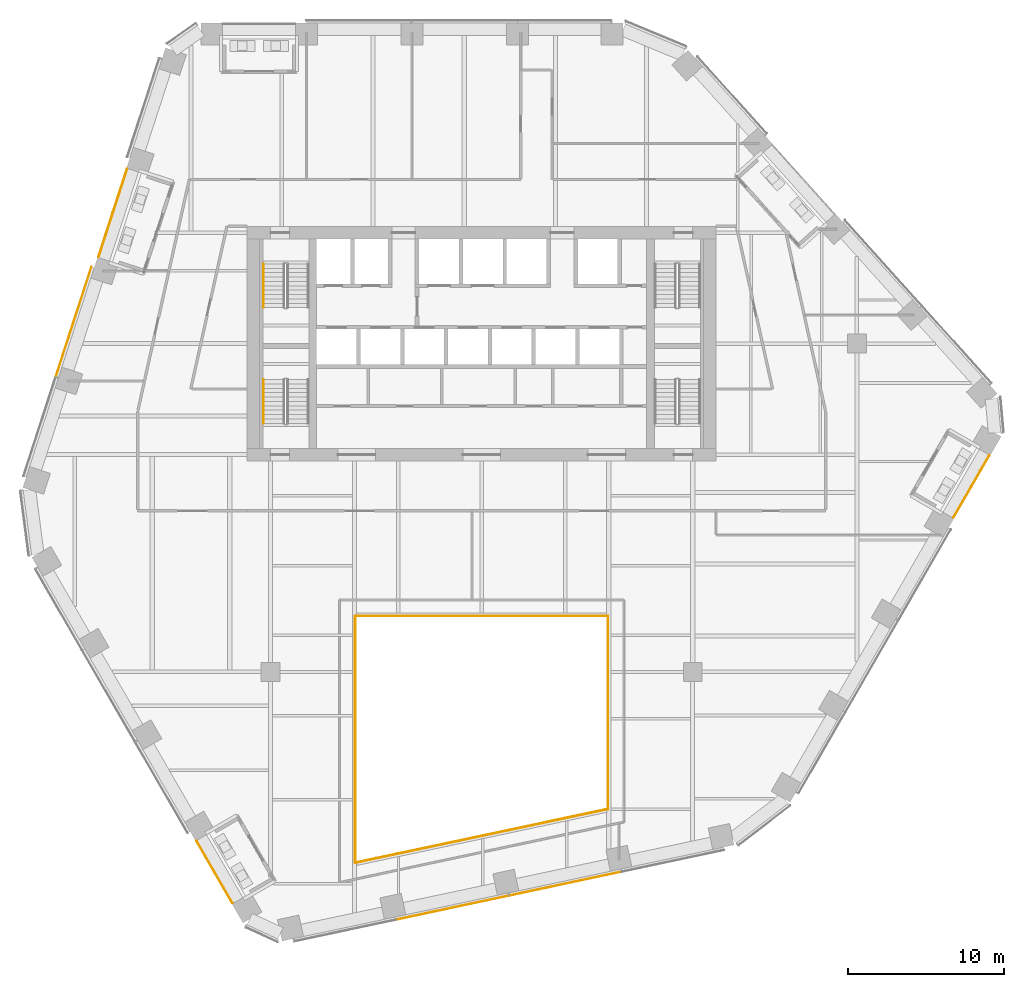
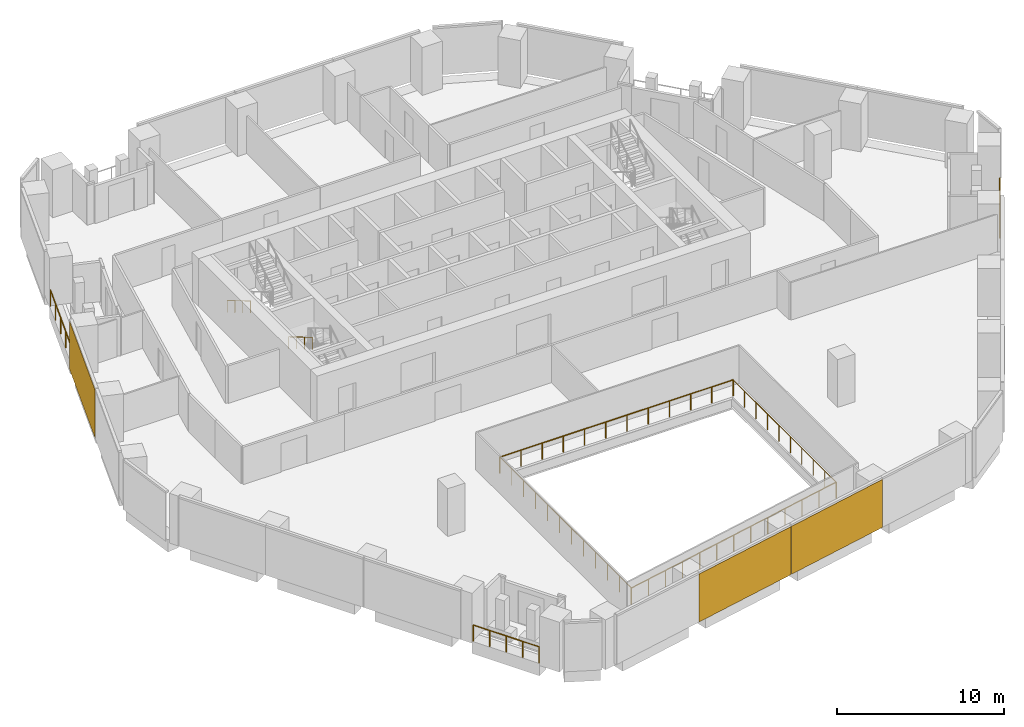
# One storey, part 23 of 26: 9 railings, 3 coverings, 2 elements without a shape of their own.
"""IFC4 building model written with IfcOpenShell, lengths in metres."""

import ifcopenshell
import ifcopenshell.guid

model = None  # the IFC model being written
_history = None  # IfcOwnerHistory: only IFC2X3 demands one
_inside = {}  # id of a spatial element -> (the spatial element, [elements in it])
_under = {}  # id of a project, library or spatial element -> (it, [spatial elements below it])
_declared = {}  # id of a project -> (the project, [libraries it declares])
_typed = {}  # id of a type object -> (the type object, [elements of that type])
_made_of = {}  # id of a material, layer set ... -> (it, [elements and type objects made of it])


def new_model(schema):
    """Start an empty IFC model of exactly this schema.

    Asked for "IFC4X3", IfcOpenShell would pick the latest addendum, in which some entities
    have other attributes; the version numbers below select the first issue.
    IFC2X3 requires an IfcOwnerHistory on every rooted entity: one is made here for all.
    """
    global model, _history
    if schema == "IFC4X3":
        model = ifcopenshell.file(schema_version=(4, 3, 0, 0))
    else:
        model = ifcopenshell.file(schema=schema)
    _inside.clear()
    _under.clear()
    _declared.clear()
    _typed.clear()
    _made_of.clear()
    _history = None
    if model.schema == "IFC2X3":
        org = make("IfcOrganization", Name="unknown")
        user = make(
            "IfcPersonAndOrganization",
            ThePerson=make("IfcPerson", FamilyName="unknown"),
            TheOrganization=org,
        )
        app = make(
            "IfcApplication",
            ApplicationDeveloper=org,
            Version="unknown",
            ApplicationFullName="unknown",
            ApplicationIdentifier="unknown",
        )
        _history = make(
            "IfcOwnerHistory",
            OwningUser=user,
            OwningApplication=app,
            ChangeAction="ADDED",
            CreationDate=0,
        )
    return model


def make(cls, **values):
    """One entity of the class cls with the attributes given. An attribute that is None is left unset."""
    return model.create_entity(
        cls, **{name: value for name, value in values.items() if value is not None}
    )


def rooted(cls, **values):
    """An entity with a GlobalId (a new one), such as an element, a storey or a relation."""
    return make(cls, GlobalId=ifcopenshell.guid.new(), OwnerHistory=_history, **values)


def si_unit(unit_type, name, prefix=None):
    """IfcSIUnit, for example si_unit("LENGTHUNIT", "METRE", prefix="MILLI")."""
    return make("IfcSIUnit", UnitType=unit_type, Prefix=prefix, Name=name)


def assignment(units):
    """IfcUnitAssignment: the units of a project."""
    return None if units is None else make("IfcUnitAssignment", Units=units)


def point(xyz):
    """IfcCartesianPoint."""
    return None if xyz is None else make("IfcCartesianPoint", Coordinates=xyz)


def direction(xyz):
    """IfcDirection."""
    return None if xyz is None else make("IfcDirection", DirectionRatios=xyz)


def frame(location, z_axis=None, x_axis=None):
    """IfcAxis2Placement3D, a coordinate frame: its origin and axes. An axis left out is left unset."""
    return make(
        "IfcAxis2Placement3D",
        Location=point(location),
        Axis=direction(z_axis),
        RefDirection=direction(x_axis),
    )


def frame_2d(location, x_axis=None):
    """IfcAxis2Placement2D, a coordinate frame in the plane: its origin and x axis."""
    return make(
        "IfcAxis2Placement2D", Location=point(location), RefDirection=direction(x_axis)
    )


def origin():
    """The frame at (0, 0, 0) with its axes left unset."""
    return frame((0.0, 0.0, 0.0))


def origin_2d():
    """The frame at (0, 0) in the plane with its x axis left unset."""
    return frame_2d((0.0, 0.0))


def place(relative_to, where):
    """IfcLocalPlacement: puts the frame where relative to a parent placement (None: the world)."""
    return make(
        "IfcLocalPlacement", PlacementRelTo=relative_to, RelativePlacement=where
    )


def context(
    kind, dimensions, precision=None, world=None, true_north=None, identifier=None
):
    """IfcGeometricRepresentationContext, for example the 3D "Model" context."""
    return make(
        "IfcGeometricRepresentationContext",
        ContextIdentifier=identifier,
        ContextType=kind,
        CoordinateSpaceDimension=dimensions,
        Precision=precision,
        WorldCoordinateSystem=world,
        TrueNorth=true_north,
    )


def subcontext(parent, identifier, kind, view, scale=None):
    """IfcGeometricRepresentationSubContext, for example "Body" below "Model"."""
    return make(
        "IfcGeometricRepresentationSubContext",
        ContextIdentifier=identifier,
        ContextType=kind,
        ParentContext=parent,
        TargetScale=scale,
        TargetView=view,
    )


def project(units=None, contexts=None):
    """IfcProject with its units and contexts."""
    return rooted(
        "IfcProject",
        Name="project",
        RepresentationContexts=contexts,
        UnitsInContext=assignment(units),
    )


def spatial(cls, under=None, at=None, **own):
    """A site, building, storey or space (cls), placed at a placement, below another one or the project."""
    s = rooted(cls, ObjectPlacement=at, **own)
    if under is not None:
        _under.setdefault(under.id(), (under, []))[1].append(s)
    return s


def profile(cls, at=None, kind="AREA", **sizes):
    """A parametric profile (cls). Its sizes go by their IFC names, for example OverallWidth=200.0."""
    return make(cls, ProfileType=kind, Position=at, **sizes)


def rectangle(**sizes):
    """IfcRectangleProfileDef."""
    return profile("IfcRectangleProfileDef", **sizes)


def circle(**sizes):
    """IfcCircleProfileDef."""
    return profile("IfcCircleProfileDef", **sizes)


def extrude(swept, where, along, depth):
    """IfcExtrudedAreaSolid: the profile swept, set in the frame where, extruded along a direction by depth."""
    return make(
        "IfcExtrudedAreaSolid",
        SweptArea=swept,
        Position=where,
        ExtrudedDirection=direction(along),
        Depth=depth,
    )


def shape(context_of_items, identifier, shape_type, items):
    """IfcShapeRepresentation: the items that make up one representation, for example the "Body"."""
    return make(
        "IfcShapeRepresentation",
        ContextOfItems=context_of_items,
        RepresentationIdentifier=identifier,
        RepresentationType=shape_type,
        Items=items,
    )


def material(Name=None, Category=None):
    """IfcMaterial."""
    return make("IfcMaterial", Name=Name, Category=Category)


def layer(
    of_material, thickness, ventilated=None, Name=None, Category=None, Priority=None
):
    """IfcMaterialLayer: one layer of a wall or slab, of a material (None: an air gap)."""
    return make(
        "IfcMaterialLayer",
        Material=of_material,
        LayerThickness=thickness,
        IsVentilated=ventilated,
        Name=Name,
        Category=Category,
        Priority=Priority,
    )


def layer_set(layers, Name=None):
    """IfcMaterialLayerSet."""
    return make("IfcMaterialLayerSet", MaterialLayers=layers, LayerSetName=Name)


def made_of(thing, what):
    """Note that an element or type object is made of a material, layer set ...; save() writes the relation."""
    if what is not None:
        _made_of.setdefault(what.id(), (what, []))[1].append(thing)
    return thing


def type_object(cls, material=None, **own):
    """A type object (cls), such as IfcWallType, which elements share."""
    return made_of(rooted(cls, **own), material)


def element(
    cls,
    number,
    at=None,
    inside=None,
    cuts=None,
    type_object=None,
    material=None,
    context=None,
    identifier="Body",
    shape_type=None,
    held_by="IfcProductDefinitionShape",
    body=None,
    shapes=None,
    **own,
):
    """One element of the class cls, such as IfcWall. Its Tag is "e" and its number.

    at: its placement. inside: the storey or other place that contains it. cuts: it is an
    opening in that element (IfcRelVoidsElement). A single representation is given by context,
    identifier, shape_type and body (its items); several are given by shapes. held_by: the class
    of the entity that holds the representations. save() writes the other relations.
    """
    e = rooted(cls, Tag="e%d" % number, ObjectPlacement=at, **own)
    if body is not None:
        shapes = [shape(context, identifier, shape_type, body)]
    if shapes is not None:
        e.Representation = make(held_by, Representations=shapes)
    if inside is not None:
        _inside.setdefault(inside.id(), (inside, []))[1].append(e)
    if cuts is not None:
        rooted(
            "IfcRelVoidsElement", RelatingBuildingElement=cuts, RelatedOpeningElement=e
        )
    if type_object is not None:
        _typed.setdefault(type_object.id(), (type_object, []))[1].append(e)
    return made_of(e, material)


def aggregate(whole, parts):
    """IfcRelAggregates: a whole, such as a stair, and the parts it consists of."""
    return rooted("IfcRelAggregates", RelatingObject=whole, RelatedObjects=parts)


def save(model, path):
    """Write the relations noted so far, then the file.

    IfcRelAggregates (storeys below a building ...), IfcRelContainedInSpatialStructure (elements
    in a storey), IfcRelDefinesByType, IfcRelAssociatesMaterial and IfcRelDeclares: one each for
    every whole, place, type object, material and project.
    """
    for whole, parts in _under.values():
        aggregate(whole, parts)
    for where, things in _inside.values():
        rooted(
            "IfcRelContainedInSpatialStructure",
            RelatedElements=things,
            RelatingStructure=where,
        )
    for kind, things in _typed.values():
        rooted("IfcRelDefinesByType", RelatedObjects=things, RelatingType=kind)
    for what, things in _made_of.values():
        rooted("IfcRelAssociatesMaterial", RelatedObjects=things, RelatingMaterial=what)
    for by, libraries in _declared.values():
        rooted("IfcRelDeclares", RelatingContext=by, RelatedDefinitions=libraries)
    model.write(path)


model = new_model("IFC4")

# Units and contexts
model_context = context("Model", 3, precision=1e-05, world=origin(), true_north=direction((0.0, 1.0)))
body_context = subcontext(model_context, "Body", "Model", "MODEL_VIEW")
ifc_project = project(units=[si_unit("LENGTHUNIT", "METRE"), si_unit("AREAUNIT", "SQUARE_METRE"), si_unit("VOLUMEUNIT", "CUBIC_METRE"), si_unit("PLANEANGLEUNIT", "RADIAN"), si_unit("MASSUNIT", "GRAM", prefix="KILO")], contexts=[model_context])

# Site, building, storey
site_placement = place(None, origin())
site = spatial("IfcSite", under=ifc_project, at=site_placement, CompositionType="ELEMENT")
building_placement = place(site_placement, origin())
building = spatial("IfcBuilding", under=site, at=building_placement, Name="Isthmus Gate Tower", CompositionType="ELEMENT")
storey_placement = place(building_placement, frame((0.0, 0.0, 144.39990234375)))
storey = spatial("IfcBuildingStorey", under=building, at=storey_placement, Name="L35", CompositionType="ELEMENT", Elevation=144.39990234375)

# Railings
ifc_material_1 = material(Name="Laminated toughened glass balustrade with steel rail", Category="steel")
railing_type_1 = type_object("IfcRailingType", Name="ATRIUM GUARD GLASS BALUSTRADE 1200", PredefinedType="GUARDRAIL", material=ifc_material_1)
railing_1_placement = place(storey_placement, frame((-8.080078125, -25.7099609375, 0.0)))
element("IfcRailing", 1, at=railing_1_placement, inside=storey, type_object=railing_type_1, Name="L35 atrium guard", PredefinedType="GUARDRAIL", context=body_context, shape_type="SweptSolid", body=[
    extrude(circle(Radius=0.02490234375, at=origin_2d()), frame((0.0, 0.0, 1.1748046875), z_axis=(0.0, 1.0, 0.0), x_axis=(-1.0, 0.0, 0.0)), (0.0, 0.0, 1.0), 15.7900390625),
    extrude(circle(Radius=0.02490234375, at=origin_2d()), origin(), (0.0, 0.0, 1.0), 1.14990234375),
    extrude(circle(Radius=0.02490234375, at=origin_2d()), frame((0.0, 1.435546875, 0.0)), (0.0, 0.0, 1.0), 1.14990234375),
    extrude(circle(Radius=0.02490234375, at=origin_2d()), frame((0.0, 2.870849609375, 0.0)), (0.0, 0.0, 1.0), 1.14990234375),
    extrude(circle(Radius=0.02490234375, at=origin_2d()), frame((0.0, 4.306396484375, 0.0)), (0.0, 0.0, 1.0), 1.14990234375),
    extrude(circle(Radius=0.02490234375, at=origin_2d()), frame((0.0, 5.741943359375, 0.0)), (0.0, 0.0, 1.0), 1.14990234375),
    extrude(circle(Radius=0.02490234375, at=origin_2d()), frame((0.0, 7.17724609375, 0.0)), (0.0, 0.0, 1.0), 1.14990234375),
    extrude(circle(Radius=0.02490234375, at=origin_2d()), frame((0.0, 8.61279296875, 0.0)), (0.0, 0.0, 1.0), 1.14990234375),
    extrude(circle(Radius=0.02490234375, at=origin_2d()), frame((0.0, 10.048095703125, 0.0)), (0.0, 0.0, 1.0), 1.14990234375),
    extrude(circle(Radius=0.02490234375, at=origin_2d()), frame((0.0, 11.483642578125, 0.0)), (0.0, 0.0, 1.0), 1.14990234375),
    extrude(circle(Radius=0.02490234375, at=origin_2d()), frame((0.0, 12.919189453125, 0.0)), (0.0, 0.0, 1.0), 1.14990234375),
    extrude(circle(Radius=0.02490234375, at=origin_2d()), frame((0.0, 14.3544921875, 0.0)), (0.0, 0.0, 1.0), 1.14990234375),
    extrude(circle(Radius=0.02490234375, at=origin_2d()), frame((0.0, 15.7900390625, 0.0)), (0.0, 0.0, 1.0), 1.14990234375),
])
railing_2_placement = place(storey_placement, frame((-8.080078125, -9.919921875, 0.0)))
element("IfcRailing", 2, at=railing_2_placement, inside=storey, type_object=railing_type_1, Name="L35 atrium guard", PredefinedType="GUARDRAIL", context=body_context, shape_type="SweptSolid", body=[
    extrude(circle(Radius=0.02490234375, at=origin_2d()), frame((0.0, 0.0, 1.1748046875), z_axis=(1.0, 0.0, 0.0), x_axis=(0.0, 1.0, 0.0)), (0.0, 0.0, 1.0), 16.16015625),
    extrude(circle(Radius=0.02490234375, at=origin_2d()), origin(), (0.0, 0.0, 1.0), 1.14990234375),
    extrude(circle(Radius=0.02490234375, at=origin_2d()), frame((1.468994140625, 0.0, 0.0)), (0.0, 0.0, 1.0), 1.14990234375),
    extrude(circle(Radius=0.02490234375, at=origin_2d()), frame((2.938232421875, 0.0, 0.0)), (0.0, 0.0, 1.0), 1.14990234375),
    extrude(circle(Radius=0.02490234375, at=origin_2d()), frame((4.4072265625, 0.0, 0.0)), (0.0, 0.0, 1.0), 1.14990234375),
    extrude(circle(Radius=0.02490234375, at=origin_2d()), frame((5.87646484375, 0.0, 0.0)), (0.0, 0.0, 1.0), 1.14990234375),
    extrude(circle(Radius=0.02490234375, at=origin_2d()), frame((7.345458984375, 0.0, 0.0)), (0.0, 0.0, 1.0), 1.14990234375),
    extrude(circle(Radius=0.02490234375, at=origin_2d()), frame((8.814697265625, 0.0, 0.0)), (0.0, 0.0, 1.0), 1.14990234375),
    extrude(circle(Radius=0.02490234375, at=origin_2d()), frame((10.28369140625, 0.0, 0.0)), (0.0, 0.0, 1.0), 1.14990234375),
    extrude(circle(Radius=0.02490234375, at=origin_2d()), frame((11.7529296875, 0.0, 0.0)), (0.0, 0.0, 1.0), 1.14990234375),
    extrude(circle(Radius=0.02490234375, at=origin_2d()), frame((13.221923828125, 0.0, 0.0)), (0.0, 0.0, 1.0), 1.14990234375),
    extrude(circle(Radius=0.02490234375, at=origin_2d()), frame((14.691162109375, 0.0, 0.0)), (0.0, 0.0, 1.0), 1.14990234375),
    extrude(circle(Radius=0.02490234375, at=origin_2d()), frame((16.16015625, 0.0, 0.0)), (0.0, 0.0, 1.0), 1.14990234375),
])
railing_3_placement = place(storey_placement, frame((8.080078125, -9.919921875, 0.0)))
element("IfcRailing", 3, at=railing_3_placement, inside=storey, type_object=railing_type_1, Name="L35 atrium guard", PredefinedType="GUARDRAIL", context=body_context, shape_type="SweptSolid", body=[
    extrude(circle(Radius=0.02490234375, at=origin_2d()), frame((0.0, 0.0, 1.1748046875), z_axis=(0.0, -1.0, 0.0), x_axis=(1.0, 0.0, 0.0)), (0.0, 0.0, 1.0), 12.35498046875),
    extrude(circle(Radius=0.02490234375, at=origin_2d()), origin(), (0.0, 0.0, 1.0), 1.14990234375),
    extrude(circle(Radius=0.02490234375, at=origin_2d()), frame((0.0, -1.372802734375, 0.0)), (0.0, 0.0, 1.0), 1.14990234375),
    extrude(circle(Radius=0.02490234375, at=origin_2d()), frame((0.0, -2.74560546875, 0.0)), (0.0, 0.0, 1.0), 1.14990234375),
    extrude(circle(Radius=0.02490234375, at=origin_2d()), frame((0.0, -4.118408203125, 0.0)), (0.0, 0.0, 1.0), 1.14990234375),
    extrude(circle(Radius=0.02490234375, at=origin_2d()), frame((0.0, -5.4912109375, 0.0)), (0.0, 0.0, 1.0), 1.14990234375),
    extrude(circle(Radius=0.02490234375, at=origin_2d()), frame((0.0, -6.86376953125, 0.0)), (0.0, 0.0, 1.0), 1.14990234375),
    extrude(circle(Radius=0.02490234375, at=origin_2d()), frame((0.0, -8.236572265625, 0.0)), (0.0, 0.0, 1.0), 1.14990234375),
    extrude(circle(Radius=0.02490234375, at=origin_2d()), frame((0.0, -9.609375, 0.0)), (0.0, 0.0, 1.0), 1.14990234375),
    extrude(circle(Radius=0.02490234375, at=origin_2d()), frame((0.0, -10.982177734375, 0.0)), (0.0, 0.0, 1.0), 1.14990234375),
    extrude(circle(Radius=0.02490234375, at=origin_2d()), frame((0.0, -12.35498046875, 0.0)), (0.0, 0.0, 1.0), 1.14990234375),
])
railing_4_placement = place(storey_placement, frame((8.080078125, -22.27490234375, 0.0)))
element("IfcRailing", 4, at=railing_4_placement, inside=storey, type_object=railing_type_1, Name="L35 atrium guard", PredefinedType="GUARDRAIL", context=body_context, shape_type="SweptSolid", body=[
    extrude(circle(Radius=0.02490234375, at=origin_2d()), frame((0.0, 0.0, 1.1748046875), z_axis=(-0.978146230105, -0.207918139013, 0.0), x_axis=(0.207918139013, -0.978146230105, 0.0)), (0.0, 0.0, 1.0), 16.521240234375),
    extrude(circle(Radius=0.02490234375, at=origin_2d()), origin(), (0.0, 0.0, 1.0), 1.14990234375),
    extrude(circle(Radius=0.02490234375, at=origin_2d()), frame((-1.3466796875, -0.2861328125, 0.0)), (0.0, 0.0, 1.0), 1.14990234375),
    extrude(circle(Radius=0.02490234375, at=origin_2d()), frame((-2.693359375, -0.572509765625, 0.0)), (0.0, 0.0, 1.0), 1.14990234375),
    extrude(circle(Radius=0.02490234375, at=origin_2d()), frame((-4.0400390625, -0.85888671875, 0.0)), (0.0, 0.0, 1.0), 1.14990234375),
    extrude(circle(Radius=0.02490234375, at=origin_2d()), frame((-5.38671875, -1.14501953125, 0.0)), (0.0, 0.0, 1.0), 1.14990234375),
    extrude(circle(Radius=0.02490234375, at=origin_2d()), frame((-6.7333984375, -1.43115234375, 0.0)), (0.0, 0.0, 1.0), 1.14990234375),
    extrude(circle(Radius=0.02490234375, at=origin_2d()), frame((-8.080078125, -1.717529296875, 0.0)), (0.0, 0.0, 1.0), 1.14990234375),
    extrude(circle(Radius=0.02490234375, at=origin_2d()), frame((-9.4267578125, -2.00390625, 0.0)), (0.0, 0.0, 1.0), 1.14990234375),
    extrude(circle(Radius=0.02490234375, at=origin_2d()), frame((-10.7734375, -2.2900390625, 0.0)), (0.0, 0.0, 1.0), 1.14990234375),
    extrude(circle(Radius=0.02490234375, at=origin_2d()), frame((-12.1201171875, -2.576171875, 0.0)), (0.0, 0.0, 1.0), 1.14990234375),
    extrude(circle(Radius=0.02490234375, at=origin_2d()), frame((-13.466796875, -2.862548828125, 0.0)), (0.0, 0.0, 1.0), 1.14990234375),
    extrude(circle(Radius=0.02490234375, at=origin_2d()), frame((-14.8134765625, -3.14892578125, 0.0)), (0.0, 0.0, 1.0), 1.14990234375),
    extrude(circle(Radius=0.02490234375, at=origin_2d()), frame((-16.16015625, -3.43505859375, 0.0)), (0.0, 0.0, 1.0), 1.14990234375),
])

# Curtain wall, covering
ifc_material_2 = material(Name="Aluminium, pale champagne anodised", Category="aluminium")
ifc_layer_1 = layer(ifc_material_2, 0.199951171875)
ifc_layer_set_1 = layer_set([ifc_layer_1], Name="CW-1 UNITISED CURTAIN WALL 200 DEEP")
curtain_wall_type = type_object("IfcCurtainWallType", Name="CW-1 UNITISED CURTAIN WALL 200 DEEP", PredefinedType="NOTDEFINED", material=ifc_layer_set_1)
curtain_wall_1_placement = place(storey_placement, origin())
curtain_wall_1 = element("IfcCurtainWall", 5, at=curtain_wall_1_placement, inside=storey, type_object=curtain_wall_type, Name="CW-1 NW L35", PredefinedType="NOTDEFINED")
ifc_material_3 = material(Name="Aluminium composite panel, pale champagne anodised", Category="aluminium")
ifc_layer_2 = layer(ifc_material_3, 0.035888671875)
ifc_layer_set_2 = layer_set([ifc_layer_2], Name="CW-1 PALE METAL PANEL 36")
covering_type = type_object("IfcCoveringType", Name="CW-1 PALE METAL PANEL 36", PredefinedType="CLADDING", material=ifc_layer_set_2)
covering_1_placement = place(storey_placement, frame((-26.09765625, 8.8984375, 0.0), z_axis=(0.0, 0.0, 1.0), x_axis=(-0.309016994375, -0.951056516295, 0.0)))
covering_1 = element("IfcCovering", 6, at=covering_1_placement, type_object=covering_type, Name="CW-1 pale metal panel", PredefinedType="CLADDING", context=body_context, shape_type="SweptSolid", body=[
    extrude(rectangle(XDim=7.390869140625, YDim=0.035888671875, at=origin_2d()), origin(), (0.0, 0.0, 1.0), 3.510009765625),
])
aggregate(curtain_wall_1, [covering_1])

# Curtain wall, coverings
curtain_wall_2_placement = place(storey_placement, origin())
curtain_wall_2 = element("IfcCurtainWall", 7, at=curtain_wall_2_placement, inside=storey, type_object=curtain_wall_type, Name="CW-1 S L35", PredefinedType="NOTDEFINED")
covering_2_placement = place(storey_placement, frame((-1.88671875, -28.587158203125, 0.0), z_axis=(0.0, 0.0, 1.0), x_axis=(0.978147600734, 0.207911690818, 0.0)))
covering_2 = element("IfcCovering", 8, at=covering_2_placement, type_object=covering_type, Name="CW-1 pale metal panel", PredefinedType="CLADDING", context=body_context, shape_type="SweptSolid", body=[
    extrude(rectangle(XDim=7.390869140625, YDim=0.035888671875, at=origin_2d()), origin(), (0.0, 0.0, 1.0), 3.510009765625),
])
covering_3_placement = place(storey_placement, frame((5.371826171875, -27.044189453125, 0.0), z_axis=(0.0, 0.0, 1.0), x_axis=(0.978147600734, 0.207911690818, 0.0)))
covering_3 = element("IfcCovering", 9, at=covering_3_placement, type_object=covering_type, Name="CW-1 pale metal panel", PredefinedType="CLADDING", context=body_context, shape_type="SweptSolid", body=[
    extrude(rectangle(XDim=7.330810546875, YDim=0.035888671875, at=origin_2d()), origin(), (0.0, 0.0, 1.0), 3.510009765625),
])
aggregate(curtain_wall_2, [covering_2, covering_3])

# Railings
ifc_material_4 = material(Name="Toughened laminated glass with stainless steel posts", Category="steel")
railing_type_2 = type_object("IfcRailingType", Name="GUARD 1200 FRAMELESS GLASS", PredefinedType="GUARDRAIL", material=ifc_material_4)
railing_5_placement = place(storey_placement, frame((-22.679931640625, 18.666748046875, 0.0)))
element("IfcRailing", 10, at=railing_5_placement, inside=storey, type_object=railing_type_2, Name="LOGGIA GUARD", PredefinedType="GUARDRAIL", context=body_context, shape_type="SweptSolid", body=[
    extrude(circle(Radius=0.02490234375, at=origin_2d()), frame((0.0, 0.0, 1.1748046875), z_axis=(-0.308994543872, -0.951063810613, 0.0), x_axis=(0.951063810613, -0.308994543872, 0.0)), (0.0, 0.0, 1.0), 5.910888671875),
    extrude(circle(Radius=0.02490234375, at=origin_2d()), origin(), (0.0, 0.0, 1.0), 1.14990234375),
    extrude(circle(Radius=0.02490234375, at=origin_2d()), frame((-0.45654296875, -1.4052734375, 0.0)), (0.0, 0.0, 1.0), 1.14990234375),
    extrude(circle(Radius=0.02490234375, at=origin_2d()), frame((-0.9130859375, -2.810791015625, 0.0)), (0.0, 0.0, 1.0), 1.14990234375),
    extrude(circle(Radius=0.02490234375, at=origin_2d()), frame((-1.369873046875, -4.21630859375, 0.0)), (0.0, 0.0, 1.0), 1.14990234375),
    extrude(circle(Radius=0.02490234375, at=origin_2d()), frame((-1.826416015625, -5.62158203125, 0.0)), (0.0, 0.0, 1.0), 1.14990234375),
])
railing_6_placement = place(storey_placement, frame((-18.2294921875, -24.32568359375, 0.0)))
element("IfcRailing", 11, at=railing_6_placement, inside=storey, type_object=railing_type_2, Name="LOGGIA GUARD", PredefinedType="GUARDRAIL", context=body_context, shape_type="SweptSolid", body=[
    extrude(circle(Radius=0.02490234375, at=origin_2d()), frame((0.0, 0.0, 1.1748046875), z_axis=(0.500023029176, -0.866012107475, 0.0), x_axis=(0.866012107475, 0.500023029176, 0.0)), (0.0, 0.0, 1.0), 4.570068359375),
    extrude(circle(Radius=0.02490234375, at=origin_2d()), origin(), (0.0, 0.0, 1.0), 1.14990234375),
    extrude(circle(Radius=0.02490234375, at=origin_2d()), frame((0.5712890625, -0.989501953125, 0.0)), (0.0, 0.0, 1.0), 1.14990234375),
    extrude(circle(Radius=0.02490234375, at=origin_2d()), frame((1.142578125, -1.97900390625, 0.0)), (0.0, 0.0, 1.0), 1.14990234375),
    extrude(circle(Radius=0.02490234375, at=origin_2d()), frame((1.7138671875, -2.96826171875, 0.0)), (0.0, 0.0, 1.0), 1.14990234375),
    extrude(circle(Radius=0.02490234375, at=origin_2d()), frame((2.28515625, -3.957763671875, 0.0)), (0.0, 0.0, 1.0), 1.14990234375),
])
railing_7_placement = place(storey_placement, frame((30.181396484375, -3.62451171875, 0.0)))
element("IfcRailing", 12, at=railing_7_placement, inside=storey, type_object=railing_type_2, Name="LOGGIA GUARD", PredefinedType="GUARDRAIL", context=body_context, shape_type="SweptSolid", body=[
    extrude(circle(Radius=0.02490234375, at=origin_2d()), frame((0.0, 0.0, 1.1748046875), z_axis=(0.499959831567, 0.866048593798, 0.0), x_axis=(-0.866048593798, 0.499959831567, 0.0)), (0.0, 0.0, 1.0), 4.5703125),
    extrude(circle(Radius=0.02490234375, at=origin_2d()), origin(), (0.0, 0.0, 1.0), 1.14990234375),
    extrude(circle(Radius=0.02490234375, at=origin_2d()), frame((0.5712890625, 0.989501953125, 0.0)), (0.0, 0.0, 1.0), 1.14990234375),
    extrude(circle(Radius=0.02490234375, at=origin_2d()), frame((1.142578125, 1.97900390625, 0.0)), (0.0, 0.0, 1.0), 1.14990234375),
    extrude(circle(Radius=0.02490234375, at=origin_2d()), frame((1.713623046875, 2.968505859375, 0.0)), (0.0, 0.0, 1.0), 1.14990234375),
    extrude(circle(Radius=0.02490234375, at=origin_2d()), frame((2.284912109375, 3.9580078125, 0.0)), (0.0, 0.0, 1.0), 1.14990234375),
])
ifc_material_5 = material(Name="Stainless steel handrail", Category="steel")
railing_type_3 = type_object("IfcRailingType", Name="STAIR HANDRAIL 900", PredefinedType="HANDRAIL", material=ifc_material_5)
for number, where, name in (
    (13, (-13.949951171875, 12.60009765625, 0.166015625), "L35 ST1 stair handrail 1"),
    (14, (-13.949951171875, 5.199951171875, 1.990966796875), "L35 ST7 stair handrail 2"),
):
    element("IfcRailing", number, at=place(storey_placement, frame(where)), inside=storey, type_object=railing_type_3, Name=name, PredefinedType="HANDRAIL", context=body_context, shape_type="SweptSolid", body=[
        extrude(circle(Radius=0.02392578125, at=origin_2d()), frame((0.0, 0.0, 0.8759765625), z_axis=(0.0, -0.860306154799, 0.50977771628), x_axis=(1.0, 0.0, 0.0)), (0.0, 0.0, 1.0), 3.254638671875),
        extrude(circle(Radius=0.02099609375, at=origin_2d()), origin(), (0.0, 0.0, 1.0), 0.851806640625),
        extrude(circle(Radius=0.02099609375, at=origin_2d()), frame((0.0, -0.933349609375, 0.552978515625)), (0.0, 0.0, 1.0), 0.851806640625),
        extrude(circle(Radius=0.02099609375, at=origin_2d()), frame((0.0, -1.86669921875, 1.106201171875)), (0.0, 0.0, 1.0), 0.851806640625),
        extrude(circle(Radius=0.02099609375, at=origin_2d()), frame((0.0, -2.800048828125, 1.6591796875)), (0.0, 0.0, 1.0), 0.851806640625),
    ])

save(model, "model.ifc")
